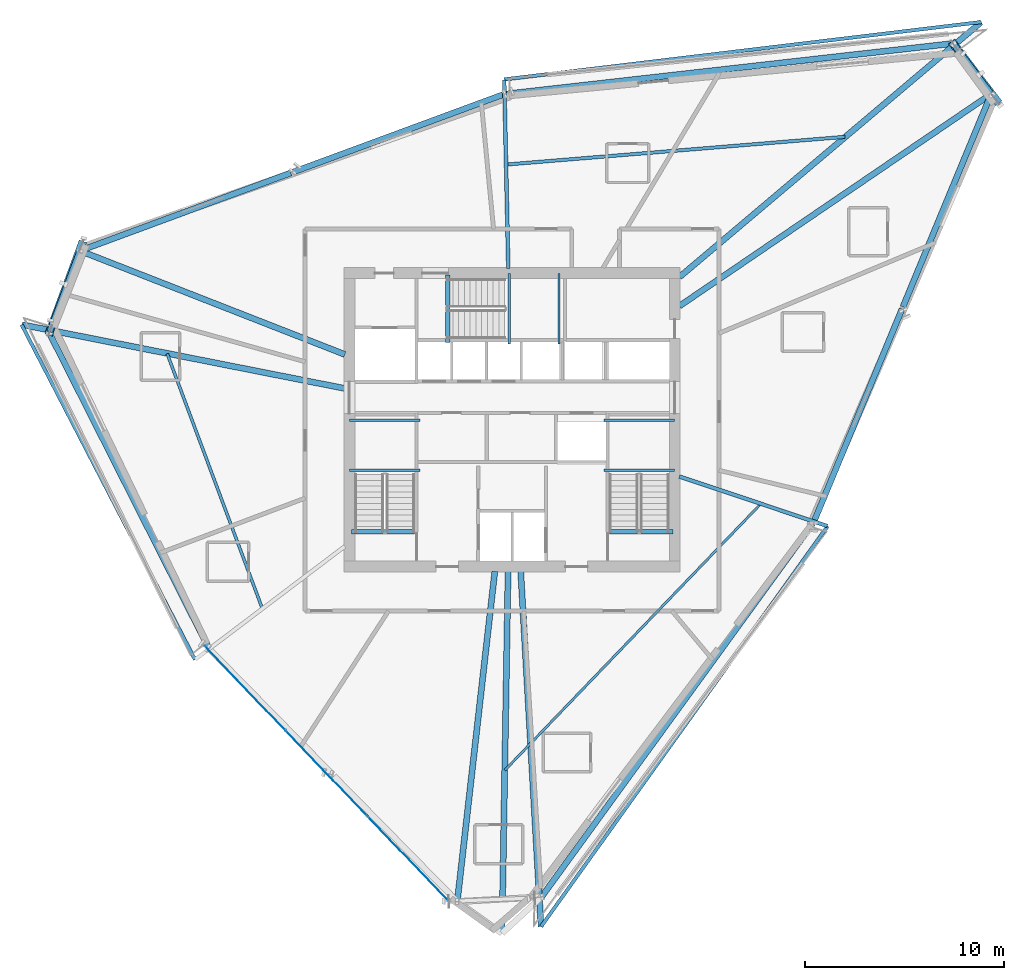
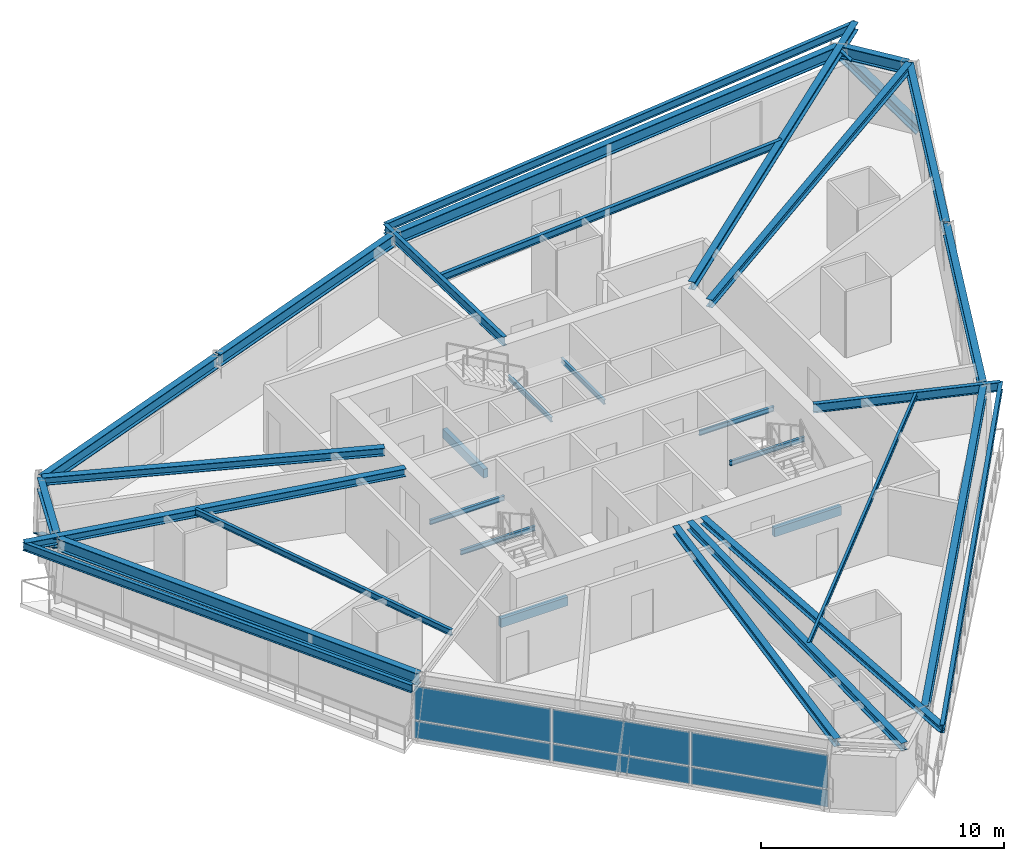
# One storey, part 4 of 14: 33 beams, 6 plates, 2 members, 1 element without a shape of its own.
"""IFC4 building model written with IfcOpenShell, lengths in metres."""

from ifc_helpers import new_model, si_unit, direction, frame, origin, origin_2d, place, context, subcontext, project, spatial, rectangle, i_section, extrude, source, transform, mapped, material, material_profile, profile_set, type_object, element, aggregate, save


model = new_model("IFC4")

# Units and contexts
model_context = context("Model", 3, precision=1e-05, world=origin(), true_north=direction((0.0, 1.0)))
body_context = subcontext(model_context, "Body", "Model", "MODEL_VIEW")
ifc_project = project(units=[si_unit("LENGTHUNIT", "METRE"), si_unit("AREAUNIT", "SQUARE_METRE"), si_unit("VOLUMEUNIT", "CUBIC_METRE"), si_unit("PLANEANGLEUNIT", "RADIAN"), si_unit("MASSUNIT", "GRAM", prefix="KILO")], contexts=[model_context])

# Site, building, storey
site_placement = place(None, origin())
site = spatial("IfcSite", under=ifc_project, at=site_placement, CompositionType="ELEMENT")
building_placement = place(site_placement, origin())
building = spatial("IfcBuilding", under=site, at=building_placement, Name="Olszyna Solenne Hotel", CompositionType="ELEMENT")
storey_placement = place(building_placement, frame((0.0, 0.0, 182.10009765625)))
storey = spatial("IfcBuildingStorey", under=building, at=storey_placement, Name="L48", CompositionType="ELEMENT", Elevation=182.10009765625)

# Beams
ifc_material_1 = material(Name="Steel S355J2", Category="steel")
ifc_material_profile_1 = material_profile(ifc_material_1, i_section(OverallWidth=0.300048828125, OverallDepth=0.60009765625, WebThickness=0.015380859375, FlangeThickness=0.030029296875, at=origin_2d()), Name="HEB 600", Category="load-bearing")
ifc_profile_set_1 = profile_set([ifc_material_profile_1], Name="Steel S355J2")
beam_type_1 = type_object("IfcBeamType", Name="BM-S2", PredefinedType="BEAM", material=ifc_profile_set_1)
shared_shape_1 = source(origin(), body_context, "Body", "SweptSolid", [
    extrude(i_section(OverallWidth=0.300048828125, OverallDepth=0.60009765625, WebThickness=0.015380859375, FlangeThickness=0.030029296875, at=origin_2d()), origin(), (0.0, 0.0, 1.0), 3.055908203125),
])
beam_1_placement = place(storey_placement, frame((62.04248046875, 43.02978515625, 3.02978515625), z_axis=(-0.602477012007, 0.79813623524, 0.0), x_axis=(-0.79813623524, -0.602477012007, 0.0)))
element("IfcBeam", 1, at=beam_1_placement, inside=storey, type_object=beam_type_1, Name="Perimeter spandrel beam BM-S2 B-L48-1422", PredefinedType="BEAM", context=body_context, shape_type="MappedRepresentation", body=[
    mapped(shared_shape_1, transform((0.0, 0.0, 0.0), x_axis=(1.0, 0.0, 0.0), y_axis=(0.0, 1.0, 0.0), z_axis=(0.0, 0.0, 1.0), scale=1.0)),
])
shared_shape_2 = source(origin(), body_context, "Body", "SweptSolid", [
    extrude(i_section(OverallWidth=0.300048828125, OverallDepth=0.60009765625, WebThickness=0.015380859375, FlangeThickness=0.030029296875, at=origin_2d()), origin(), (0.0, 0.0, 1.0), 22.5947265625),
])
beam_2_placement = place(storey_placement, frame((60.105712890625, 45.510009765625, 3.02978515625), z_axis=(-0.993680602672, -0.11224464296, 0.0), x_axis=(0.11224464296, -0.993680602672, 0.0)))
element("IfcBeam", 2, at=beam_2_placement, inside=storey, type_object=beam_type_1, Name="Perimeter spandrel beam BM-S2 B-L48-1423", PredefinedType="BEAM", context=body_context, shape_type="MappedRepresentation", body=[
    mapped(shared_shape_2, transform((0.0, 0.0, 0.0), x_axis=(1.0, 0.0, 0.0), y_axis=(0.0, 1.0, 0.0), z_axis=(0.0, 0.0, 1.0), scale=1.0)),
])
shared_shape_3 = source(origin(), body_context, "Body", "SweptSolid", [
    extrude(i_section(OverallWidth=0.300048828125, OverallDepth=0.60009765625, WebThickness=0.015380859375, FlangeThickness=0.030029296875, at=origin_2d()), origin(), (0.0, 0.0, 1.0), 11.2373046875),
])
for number, where, z_axis, x_axis, name in (
    (3, (37.537841796875, 42.9462890625, 3.02978515625), (-0.938120365318, -0.346309370615, 0.0), (0.346309370615, -0.938120365318, 0.0), "Perimeter spandrel beam BM-S2 B-L48-1424"),
    (4, (26.88330078125, 39.012939453125, 3.02978515625), (-0.938120365318, -0.346309370615, 0.0), (0.346309370615, -0.938120365318, 0.0), "Perimeter spandrel beam BM-S2 B-L48-1425"),
):
    element("IfcBeam", number, at=place(storey_placement, frame(where, z_axis=z_axis, x_axis=x_axis)), inside=storey, type_object=beam_type_1, Name=name, PredefinedType="BEAM", context=body_context, shape_type="MappedRepresentation", body=[
        mapped(shared_shape_3, transform((0.0, 0.0, 0.0), x_axis=(1.0, 0.0, 0.0), y_axis=(0.0, 1.0, 0.0), z_axis=(0.0, 0.0, 1.0), scale=1.0)),
    ])
shared_shape_4 = source(origin(), body_context, "Body", "SweptSolid", [
    extrude(i_section(OverallWidth=0.300048828125, OverallDepth=0.60009765625, WebThickness=0.015380859375, FlangeThickness=0.030029296875, at=origin_2d()), origin(), (0.0, 0.0, 1.0), 4.281494140625),
])
beam_3_placement = place(storey_placement, frame((16.26416015625, 35.044189453125, 3.02978515625), z_axis=(-0.350167177084, -0.93668721999, 0.0), x_axis=(0.93668721999, -0.350167177084, 0.0)))
element("IfcBeam", 5, at=beam_3_placement, inside=storey, type_object=beam_type_1, Name="Perimeter spandrel beam BM-S2 B-L48-1426", PredefinedType="BEAM", context=body_context, shape_type="MappedRepresentation", body=[
    mapped(shared_shape_4, transform((0.0, 0.0, 0.0), x_axis=(1.0, 0.0, 0.0), y_axis=(0.0, 1.0, 0.0), z_axis=(0.0, 0.0, 1.0), scale=1.0)),
])
shared_shape_5 = source(origin(), body_context, "Body", "SweptSolid", [
    extrude(i_section(OverallWidth=0.300048828125, OverallDepth=0.60009765625, WebThickness=0.015380859375, FlangeThickness=0.030029296875, at=origin_2d()), origin(), (0.0, 0.0, 1.0), 17.6796875),
])
beam_4_placement = place(storey_placement, frame((14.77099609375, 30.924072265625, 3.02978515625), z_axis=(0.451186208431, -0.892429832156, 0.0), x_axis=(0.892429832156, 0.451186208431, 0.0)))
element("IfcBeam", 6, at=beam_4_placement, inside=storey, type_object=beam_type_1, Name="Perimeter spandrel beam BM-S2 B-L48-1427", PredefinedType="BEAM", context=body_context, shape_type="MappedRepresentation", body=[
    mapped(shared_shape_5, transform((0.0, 0.0, 0.0), x_axis=(1.0, 0.0, 0.0), y_axis=(0.0, 1.0, 0.0), z_axis=(0.0, 0.0, 1.0), scale=1.0)),
])
shared_shape_6 = source(origin(), body_context, "Body", "SweptSolid", [
    extrude(i_section(OverallWidth=0.300048828125, OverallDepth=0.60009765625, WebThickness=0.015380859375, FlangeThickness=0.030029296875, at=origin_2d()), origin(), (0.0, 0.0, 1.0), 23.16552734375),
])
beam_5_placement = place(storey_placement, frame((39.515380859375, 2.6787109375, 3.02978515625), z_axis=(0.587643312655, 0.809120100536, 0.0), x_axis=(-0.809120100536, 0.587643312655, 0.0)))
element("IfcBeam", 7, at=beam_5_placement, inside=storey, type_object=beam_type_1, Name="Perimeter spandrel beam BM-S2 B-L48-1431", PredefinedType="BEAM", context=body_context, shape_type="MappedRepresentation", body=[
    mapped(shared_shape_6, transform((0.0, 0.0, 0.0), x_axis=(1.0, 0.0, 0.0), y_axis=(0.0, 1.0, 0.0), z_axis=(0.0, 0.0, 1.0), scale=1.0)),
])
shared_shape_7 = source(origin(), body_context, "Body", "SweptSolid", [
    extrude(i_section(OverallWidth=0.300048828125, OverallDepth=0.60009765625, WebThickness=0.015380859375, FlangeThickness=0.030029296875, at=origin_2d()), origin(), (0.0, 0.0, 1.0), 11.522705078125),
])
for number, where, z_axis, x_axis, name in (
    (8, (53.1865234375, 21.526123046875, 3.02978515625), (0.382862003427, 0.923805545735, 0.0), (-0.923805545735, 0.382862003427, 0.0), "Perimeter spandrel beam BM-S2 B-L48-1432"),
    (9, (57.644287109375, 32.28173828125, 3.02978515625), (0.382862003427, 0.923805545735, 0.0), (-0.923805545735, 0.382862003427, 0.0), "Perimeter spandrel beam BM-S2 B-L48-1433"),
):
    element("IfcBeam", number, at=place(storey_placement, frame(where, z_axis=z_axis, x_axis=x_axis)), inside=storey, type_object=beam_type_1, Name=name, PredefinedType="BEAM", context=body_context, shape_type="MappedRepresentation", body=[
        mapped(shared_shape_7, transform((0.0, 0.0, 0.0), x_axis=(1.0, 0.0, 0.0), y_axis=(0.0, 1.0, 0.0), z_axis=(0.0, 0.0, 1.0), scale=1.0)),
    ])
ifc_material_profile_2 = material_profile(ifc_material_1, i_section(OverallWidth=0.300048828125, OverallDepth=0.389892578125, WebThickness=0.010986328125, FlangeThickness=0.01904296875, at=origin_2d()), Name="HEA 400", Category="load-bearing")
ifc_profile_set_2 = profile_set([ifc_material_profile_2], Name="Steel S355J2")
beam_type_2 = type_object("IfcBeamType", Name="BM-G2", PredefinedType="BEAM", material=ifc_profile_set_2)
shared_shape_8 = source(origin(), body_context, "Body", "SweptSolid", [
    extrude(i_section(OverallWidth=0.300048828125, OverallDepth=0.389892578125, WebThickness=0.010986328125, FlangeThickness=0.01904296875, at=origin_2d()), origin(), (0.0, 0.0, 1.0), 18.892822265625),
])
beam_6_placement = place(storey_placement, frame((62.029296875, 42.947998046875, 3.135009765625), z_axis=(-0.826798854728, -0.56249769228, 0.0), x_axis=(0.56249769228, -0.826798854728, 0.0)))
element("IfcBeam", 10, at=beam_6_placement, inside=storey, type_object=beam_type_2, Name="Radial floor girder BM-G2 B-L48-1434", PredefinedType="BEAM", context=body_context, shape_type="MappedRepresentation", body=[
    mapped(shared_shape_8, transform((0.0, 0.0, 0.0), x_axis=(1.0, 0.0, 0.0), y_axis=(0.0, 1.0, 0.0), z_axis=(0.0, 0.0, 1.0), scale=1.0)),
])
shared_shape_9 = source(origin(), body_context, "Body", "SweptSolid", [
    extrude(i_section(OverallWidth=0.300048828125, OverallDepth=0.389892578125, WebThickness=0.010986328125, FlangeThickness=0.01904296875, at=origin_2d()), origin(), (0.0, 0.0, 1.0), 19.83935546875),
])
beam_7_placement = place(storey_placement, frame((61.566162109375, 46.58349609375, 3.135009765625), z_axis=(-0.763838869699, -0.645406988757, 0.0), x_axis=(0.645406988757, -0.763838869699, 0.0)))
element("IfcBeam", 11, at=beam_7_placement, inside=storey, type_object=beam_type_2, Name="Radial floor girder BM-G2 B-L48-1435", PredefinedType="BEAM", context=body_context, shape_type="MappedRepresentation", body=[
    mapped(shared_shape_9, transform((0.0, 0.0, 0.0), x_axis=(1.0, 0.0, 0.0), y_axis=(0.0, 1.0, 0.0), z_axis=(0.0, 0.0, 1.0), scale=1.0)),
])
ifc_material_profile_3 = material_profile(ifc_material_1, i_section(OverallWidth=0.18994140625, OverallDepth=0.449951171875, WebThickness=0.009521484375, FlangeThickness=0.0146484375, at=origin_2d()), Name="IPE 450", Category="load-bearing")
ifc_profile_set_3 = profile_set([ifc_material_profile_3], Name="Steel S355J2")
beam_type_3 = type_object("IfcBeamType", Name="BM-F4", PredefinedType="BEAM", material=ifc_profile_set_3)
shared_shape_10 = source(origin(), body_context, "Body", "SweptSolid", [
    extrude(i_section(OverallWidth=0.18994140625, OverallDepth=0.449951171875, WebThickness=0.009521484375, FlangeThickness=0.0146484375, at=origin_2d()), origin(), (0.0, 0.0, 1.0), 9.495849609375),
])
beam_8_placement = place(storey_placement, frame((37.606689453125, 43.693603515625, 3.10498046875), z_axis=(0.021570868255, -0.999767321752, 0.0), x_axis=(0.999767321752, 0.021570868255, 0.0)))
element("IfcBeam", 12, at=beam_8_placement, inside=storey, type_object=beam_type_3, Name="Radial floor girder BM-F4 B-L48-1436", PredefinedType="BEAM", context=body_context, shape_type="MappedRepresentation", body=[
    mapped(shared_shape_10, transform((0.0, 0.0, 0.0), x_axis=(1.0, 0.0, 0.0), y_axis=(0.0, 1.0, 0.0), z_axis=(0.0, 0.0, 1.0), scale=1.0)),
])
shared_shape_11 = source(origin(), body_context, "Body", "SweptSolid", [
    extrude(i_section(OverallWidth=0.300048828125, OverallDepth=0.389892578125, WebThickness=0.010986328125, FlangeThickness=0.01904296875, at=origin_2d()), origin(), (0.0, 0.0, 1.0), 14.235107421875),
])
beam_9_placement = place(storey_placement, frame((16.341064453125, 35.07861328125, 3.135009765625), z_axis=(0.931195452884, -0.364520271767, 0.0), x_axis=(0.364520271767, 0.931195452884, 0.0)))
element("IfcBeam", 13, at=beam_9_placement, inside=storey, type_object=beam_type_2, Name="Radial floor girder BM-G2 B-L48-1437", PredefinedType="BEAM", context=body_context, shape_type="MappedRepresentation", body=[
    mapped(shared_shape_11, transform((0.0, 0.0, 0.0), x_axis=(1.0, 0.0, 0.0), y_axis=(0.0, 1.0, 0.0), z_axis=(0.0, 0.0, 1.0), scale=1.0)),
])
shared_shape_12 = source(origin(), body_context, "Body", "SweptSolid", [
    extrude(i_section(OverallWidth=0.300048828125, OverallDepth=0.389892578125, WebThickness=0.010986328125, FlangeThickness=0.01904296875, at=origin_2d()), origin(), (0.0, 0.0, 1.0), 16.541015625),
])
beam_10_placement = place(storey_placement, frame((13.37158203125, 31.38671875, 3.135009765625), z_axis=(0.981045093218, -0.193779578577, 0.0), x_axis=(0.193779578577, 0.981045093218, 0.0)))
element("IfcBeam", 14, at=beam_10_placement, inside=storey, type_object=beam_type_2, Name="Radial floor girder BM-G2 B-L48-1438", PredefinedType="BEAM", context=body_context, shape_type="MappedRepresentation", body=[
    mapped(shared_shape_12, transform((0.0, 0.0, 0.0), x_axis=(1.0, 0.0, 0.0), y_axis=(0.0, 1.0, 0.0), z_axis=(0.0, 0.0, 1.0), scale=1.0)),
])
shared_shape_13 = source(origin(), body_context, "Body", "SweptSolid", [
    extrude(i_section(OverallWidth=0.300048828125, OverallDepth=0.389892578125, WebThickness=0.010986328125, FlangeThickness=0.01904296875, at=origin_2d()), origin(), (0.0, 0.0, 1.0), 16.653564453125),
])
beam_11_placement = place(storey_placement, frame((35.253662109375, 2.452880859375, 3.135009765625), z_axis=(0.112999157597, 0.993595083715, 0.0), x_axis=(-0.993595083715, 0.112999157597, 0.0)))
element("IfcBeam", 15, at=beam_11_placement, inside=storey, type_object=beam_type_2, Name="Radial floor girder BM-G2 B-L48-1440", PredefinedType="BEAM", context=body_context, shape_type="MappedRepresentation", body=[
    mapped(shared_shape_13, transform((0.0, 0.0, 0.0), x_axis=(1.0, 0.0, 0.0), y_axis=(0.0, 1.0, 0.0), z_axis=(0.0, 0.0, 1.0), scale=1.0)),
])
shared_shape_14 = source(origin(), body_context, "Body", "SweptSolid", [
    extrude(i_section(OverallWidth=0.300048828125, OverallDepth=0.389892578125, WebThickness=0.010986328125, FlangeThickness=0.01904296875, at=origin_2d()), origin(), (0.0, 0.0, 1.0), 18.182373046875),
])
beam_12_placement = place(storey_placement, frame((37.4951171875, 0.820068359375, 3.135009765625), z_axis=(0.016730351268, 0.999860037879, 0.0), x_axis=(-0.999860037879, 0.016730351268, 0.0)))
element("IfcBeam", 16, at=beam_12_placement, inside=storey, type_object=beam_type_2, Name="Radial floor girder BM-G2 B-L48-1441", PredefinedType="BEAM", context=body_context, shape_type="MappedRepresentation", body=[
    mapped(shared_shape_14, transform((0.0, 0.0, 0.0), x_axis=(1.0, 0.0, 0.0), y_axis=(0.0, 1.0, 0.0), z_axis=(0.0, 0.0, 1.0), scale=1.0)),
])
shared_shape_15 = source(origin(), body_context, "Body", "SweptSolid", [
    extrude(i_section(OverallWidth=0.18994140625, OverallDepth=0.449951171875, WebThickness=0.009521484375, FlangeThickness=0.0146484375, at=origin_2d()), origin(), (0.0, 0.0, 1.0), 7.8427734375),
])
beam_13_placement = place(storey_placement, frame((53.840576171875, 21.2705078125, 3.10498046875), z_axis=(-0.948377791867, 0.317142813088, 0.0), x_axis=(-0.317142813088, -0.948377791867, 0.0)))
element("IfcBeam", 17, at=beam_13_placement, inside=storey, type_object=beam_type_3, Name="Radial floor girder BM-F4 B-L48-1442", PredefinedType="BEAM", context=body_context, shape_type="MappedRepresentation", body=[
    mapped(shared_shape_15, transform((0.0, 0.0, 0.0), x_axis=(1.0, 0.0, 0.0), y_axis=(0.0, 1.0, 0.0), z_axis=(0.0, 0.0, 1.0), scale=1.0)),
])
ifc_material_profile_4 = material_profile(ifc_material_1, i_section(OverallWidth=0.300048828125, OverallDepth=0.31005859375, WebThickness=0.009033203125, FlangeThickness=0.015380859375, at=origin_2d()), Name="HEA 320", Category="load-bearing")
ifc_profile_set_4 = profile_set([ifc_material_profile_4], Name="Steel S355J2")
beam_type_4 = type_object("IfcBeamType", Name="BM-G3", PredefinedType="BEAM", material=ifc_profile_set_4)
shared_shape_16 = source(origin(), body_context, "Body", "SweptSolid", [
    extrude(i_section(OverallWidth=0.300048828125, OverallDepth=0.31005859375, WebThickness=0.009033203125, FlangeThickness=0.015380859375, at=origin_2d()), origin(), (0.0, 0.0, 1.0), 17.891845703125),
])
beam_14_placement = place(storey_placement, frame((39.455810546875, 1.13720703125, 3.1748046875), z_axis=(-0.057078158018, 0.998369713021, 0.0), x_axis=(-0.998369713021, -0.057078158018, 0.0)))
element("IfcBeam", 18, at=beam_14_placement, inside=storey, type_object=beam_type_4, Name="Loggia/prism radial back-span girder BM-G3 B-L48-1445", PredefinedType="BEAM", context=body_context, shape_type="MappedRepresentation", body=[
    mapped(shared_shape_16, transform((0.0, 0.0, 0.0), x_axis=(1.0, 0.0, 0.0), y_axis=(0.0, 1.0, 0.0), z_axis=(0.0, 0.0, 1.0), scale=1.0)),
])
ifc_material_profile_5 = material_profile(ifc_material_1, i_section(OverallWidth=0.169921875, OverallDepth=0.360107421875, WebThickness=0.008056640625, FlangeThickness=0.0126953125, at=origin_2d()), Name="IPE 360", Category="load-bearing")
ifc_profile_set_5 = profile_set([ifc_material_profile_5], Name="Steel S355J2")
beam_type_5 = type_object("IfcBeamType", Name="JS-01", PredefinedType="JOIST", material=ifc_profile_set_5)
shared_shape_17 = source(origin(), body_context, "Body", "SweptSolid", [
    extrude(i_section(OverallWidth=0.169921875, OverallDepth=0.360107421875, WebThickness=0.008056640625, FlangeThickness=0.0126953125, at=origin_2d()), origin(), (0.0, 0.0, 1.0), 17.07373046875),
])
beam_15_placement = place(storey_placement, frame((54.7353515625, 40.826904296875, 3.14990234375), z_axis=(-0.996667057397, -0.081576814715, 0.0), x_axis=(0.081576814715, -0.996667057397, 0.0)))
element("IfcBeam", 19, at=beam_15_placement, inside=storey, type_object=beam_type_5, Name="Secondary composite floor joist JS-01 B-L48-1446", PredefinedType="JOIST", context=body_context, shape_type="MappedRepresentation", body=[
    mapped(shared_shape_17, transform((0.0, 0.0, 0.0), x_axis=(1.0, 0.0, 0.0), y_axis=(0.0, 1.0, 0.0), z_axis=(0.0, 0.0, 1.0), scale=1.0)),
])
ifc_material_profile_6 = material_profile(ifc_material_1, i_section(OverallWidth=0.14990234375, OverallDepth=0.300048828125, WebThickness=0.007080078125, FlangeThickness=0.0107421875, at=origin_2d()), Name="IPE 300", Category="load-bearing")
ifc_profile_set_6 = profile_set([ifc_material_profile_6], Name="Steel S355J2")
beam_type_6 = type_object("IfcBeamType", Name="JS-02", PredefinedType="JOIST", material=ifc_profile_set_6)
shared_shape_18 = source(origin(), body_context, "Body", "SweptSolid", [
    extrude(i_section(OverallWidth=0.14990234375, OverallDepth=0.300048828125, WebThickness=0.007080078125, FlangeThickness=0.0107421875, at=origin_2d()), origin(), (0.0, 0.0, 1.0), 13.657470703125),
])
beam_16_placement = place(storey_placement, frame((20.670166015625, 29.927734375, 3.179931640625), z_axis=(0.349638061793, -0.936884851914, 0.0), x_axis=(0.936884851914, 0.349638061793, 0.0)))
element("IfcBeam", 20, at=beam_16_placement, inside=storey, type_object=beam_type_6, Name="Secondary composite floor joist JS-02 B-L48-1447", PredefinedType="JOIST", context=body_context, shape_type="MappedRepresentation", body=[
    mapped(shared_shape_18, transform((0.0, 0.0, 0.0), x_axis=(1.0, 0.0, 0.0), y_axis=(0.0, 1.0, 0.0), z_axis=(0.0, 0.0, 1.0), scale=1.0)),
])
ifc_material_profile_7 = material_profile(ifc_material_1, i_section(OverallWidth=0.1201171875, OverallDepth=0.239990234375, WebThickness=0.006103515625, FlangeThickness=0.009765625, at=origin_2d()), Name="IPE 240", Category="load-bearing")
ifc_profile_set_7 = profile_set([ifc_material_profile_7], Name="Steel S355J2")
beam_type_7 = type_object("IfcBeamType", Name="JS-03", PredefinedType="JOIST", material=ifc_profile_set_7)
shared_shape_19 = source(origin(), body_context, "Body", "SweptSolid", [
    extrude(i_section(OverallWidth=0.1201171875, OverallDepth=0.239990234375, WebThickness=0.006103515625, FlangeThickness=0.009765625, at=origin_2d()), origin(), (0.0, 0.0, 1.0), 18.5380859375),
])
beam_17_placement = place(storey_placement, frame((37.645751953125, 9.00439453125, 3.2099609375), z_axis=(0.69285469457, 0.721077230408, 0.0), x_axis=(-0.721077230408, 0.69285469457, 0.0)))
element("IfcBeam", 21, at=beam_17_placement, inside=storey, type_object=beam_type_7, Name="Secondary composite floor joist JS-03 B-L48-1448", PredefinedType="JOIST", context=body_context, shape_type="MappedRepresentation", body=[
    mapped(shared_shape_19, transform((0.0, 0.0, 0.0), x_axis=(1.0, 0.0, 0.0), y_axis=(0.0, 1.0, 0.0), z_axis=(0.0, 0.0, 1.0), scale=1.0)),
])
ifc_material_profile_8 = material_profile(ifc_material_1, i_section(OverallWidth=0.179931640625, OverallDepth=0.39990234375, WebThickness=0.008544921875, FlangeThickness=0.013427734375, at=origin_2d()), Name="IPE 400", Category="load-bearing")
ifc_profile_set_8 = profile_set([ifc_material_profile_8], Name="Steel S355J2")
beam_type_8 = type_object("IfcBeamType", Name="BM-F5", PredefinedType="BEAM", material=ifc_profile_set_8)
shared_shape_20 = source(origin(), body_context, "Body", "SweptSolid", [
    extrude(i_section(OverallWidth=0.179931640625, OverallDepth=0.39990234375, WebThickness=0.008544921875, FlangeThickness=0.013427734375, at=origin_2d()), origin(), (0.0, 0.0, 1.0), 24.14794921875),
])
beam_18_placement = place(storey_placement, frame((61.58154296875, 46.59619140625, 3.1298828125), z_axis=(-0.992849735432, -0.119370862664, 0.0), x_axis=(0.119370862664, -0.992849735432, 0.0)))
element("IfcBeam", 22, at=beam_18_placement, inside=storey, type_object=beam_type_8, Name="Loggia outer edge beam BM-F5 B-L48-1449", PredefinedType="BEAM", context=body_context, shape_type="MappedRepresentation", body=[
    mapped(shared_shape_20, transform((0.0, 0.0, 0.0), x_axis=(1.0, 0.0, 0.0), y_axis=(0.0, 1.0, 0.0), z_axis=(0.0, 0.0, 1.0), scale=1.0)),
])
shared_shape_21 = source(origin(), body_context, "Body", "SweptSolid", [
    extrude(i_section(OverallWidth=0.179931640625, OverallDepth=0.39990234375, WebThickness=0.008544921875, FlangeThickness=0.013427734375, at=origin_2d()), origin(), (0.0, 0.0, 1.0), 18.959228515625),
])
beam_19_placement = place(storey_placement, frame((13.35205078125, 31.390625, 3.1298828125), z_axis=(0.459660766254, -0.888094578278, 0.0), x_axis=(0.888094578278, 0.459660766254, 0.0)))
element("IfcBeam", 23, at=beam_19_placement, inside=storey, type_object=beam_type_8, Name="Loggia outer edge beam BM-F5 B-L48-1450", PredefinedType="BEAM", context=body_context, shape_type="MappedRepresentation", body=[
    mapped(shared_shape_21, transform((0.0, 0.0, 0.0), x_axis=(1.0, 0.0, 0.0), y_axis=(0.0, 1.0, 0.0), z_axis=(0.0, 0.0, 1.0), scale=1.0)),
])
shared_shape_22 = source(origin(), body_context, "Body", "SweptSolid", [
    extrude(i_section(OverallWidth=0.179931640625, OverallDepth=0.39990234375, WebThickness=0.008544921875, FlangeThickness=0.013427734375, at=origin_2d()), origin(), (0.0, 0.0, 1.0), 24.75),
])
beam_20_placement = place(storey_placement, frame((39.455810546875, 1.13720703125, 3.1298828125), z_axis=(0.581971378403, 0.813209268713, 0.0), x_axis=(-0.813209268713, 0.581971378403, 0.0)))
element("IfcBeam", 24, at=beam_20_placement, inside=storey, type_object=beam_type_8, Name="Loggia outer edge beam BM-F5 B-L48-1451", PredefinedType="BEAM", context=body_context, shape_type="MappedRepresentation", body=[
    mapped(shared_shape_22, transform((0.0, 0.0, 0.0), x_axis=(1.0, 0.0, 0.0), y_axis=(0.0, 1.0, 0.0), z_axis=(0.0, 0.0, 1.0), scale=1.0)),
])

# Members
ifc_material_2 = material(Name="Steel S460M", Category="steel")
ifc_material_profile_9 = material_profile(ifc_material_2, i_section(OverallWidth=0.406005859375, OverallDepth=0.416015625, WebThickness=0.026611328125, FlangeThickness=0.04150390625, at=origin_2d()), Name="HD 400x382", Category="load-bearing")
ifc_profile_set_9 = profile_set([ifc_material_profile_9], Name="Steel S460M")
member_type = type_object("IfcMemberType", Name="BR-T2", PredefinedType="BRACE", material=ifc_profile_set_9)
shared_shape_23 = source(origin(), body_context, "Body", "SweptSolid", [
    extrude(i_section(OverallWidth=0.406005859375, OverallDepth=0.416015625, WebThickness=0.026611328125, FlangeThickness=0.04150390625, at=origin_2d()), origin(), (0.0, 0.0, 1.0), 4.719970703125),
])
member_1_placement = place(storey_placement, frame((62.3798828125, 42.612548828125, 0.010009765625), z_axis=(-0.469198883376, 0.615270721834, 0.633477976486), x_axis=(-0.795169236644, -0.606387570037, 0.0)))
element("IfcMember", 25, at=member_1_placement, inside=storey, type_object=member_type, Name="Perimeter braced-tube diagonal BR-T2 BR-L48-1", PredefinedType="BRACE", context=body_context, shape_type="MappedRepresentation", body=[
    mapped(shared_shape_23, transform((0.0, 0.0, 0.0), x_axis=(1.0, 0.0, 0.0), y_axis=(0.0, 1.0, 0.0), z_axis=(0.0, 0.0, 1.0), scale=1.0)),
])
shared_shape_24 = source(origin(), body_context, "Body", "SweptSolid", [
    extrude(i_section(OverallWidth=0.406005859375, OverallDepth=0.416015625, WebThickness=0.026611328125, FlangeThickness=0.04150390625, at=origin_2d()), origin(), (0.0, 0.0, 1.0), 5.646484375),
])
member_2_placement = place(storey_placement, frame((16.3994140625, 35.47216796875, 0.010009765625), z_axis=(-0.293195852781, -0.796008796594, 0.529533934377), x_axis=(0.938370091121, -0.345632134052, 0.0)))
element("IfcMember", 26, at=member_2_placement, inside=storey, type_object=member_type, Name="Perimeter braced-tube diagonal BR-T2 BR-L48-2", PredefinedType="BRACE", context=body_context, shape_type="MappedRepresentation", body=[
    mapped(shared_shape_24, transform((0.0, 0.0, 0.0), x_axis=(1.0, 0.0, 0.0), y_axis=(0.0, 1.0, 0.0), z_axis=(0.0, 0.0, 1.0), scale=1.0)),
])

# Beams
shared_shape_25 = source(origin(), body_context, "Body", "SweptSolid", [
    extrude(i_section(OverallWidth=0.1201171875, OverallDepth=0.239990234375, WebThickness=0.006103515625, FlangeThickness=0.009765625, at=origin_2d()), origin(), (0.0, 0.0, 1.0), 3.539794921875),
])
for number, where, z_axis, x_axis, name in (
    (27, (33.3798828125, 24.070068359375, 1.449951171875), (-1.0, 0.0, 0.0), (0.0, -1.0, 0.0), "Stair landing support beam JS-03 SLB-ST1-0101"),
    (28, (33.3798828125, 26.580078125, 1.449951171875), (-1.0, 0.0, 0.0), (0.0, -1.0, 0.0), "Stair landing support beam JS-03 SLB-ST1-0102"),
    (29, (46.159912109375, 24.070068359375, 1.449951171875), (-1.0, 0.0, 0.0), (0.0, -1.0, 0.0), "Stair landing support beam JS-03 SLB-ST2-0341"),
    (30, (46.159912109375, 26.580078125, 1.449951171875), (-1.0, 0.0, 0.0), (0.0, -1.0, 0.0), "Stair landing support beam JS-03 SLB-ST2-0342"),
):
    element("IfcBeam", number, at=place(storey_placement, frame(where, z_axis=z_axis, x_axis=x_axis)), inside=storey, type_object=beam_type_7, Name=name, PredefinedType="JOIST", context=body_context, shape_type="MappedRepresentation", body=[
        mapped(shared_shape_25, transform((0.0, 0.0, 0.0), x_axis=(1.0, 0.0, 0.0), y_axis=(0.0, 1.0, 0.0), z_axis=(0.0, 0.0, 1.0), scale=1.0)),
    ])
ifc_material_3 = material(Name="Concrete C50/60", Category="concrete")
ifc_material_profile_10 = material_profile(ifc_material_3, rectangle(XDim=0.219970703125, YDim=0.43994140625, at=origin_2d()), Name="RC 220x440", Category="load-bearing")
ifc_profile_set_10 = profile_set([ifc_material_profile_10], Name="Concrete C50/60")
beam_type_9 = type_object("IfcBeamType", Name="BM-ST1", PredefinedType="BEAM", material=ifc_profile_set_10)
shared_shape_26 = source(origin(), body_context, "Body", "SweptSolid", [
    extrude(rectangle(XDim=0.219970703125, YDim=0.43994140625, at=origin_2d()), origin(), (0.0, 0.0, 1.0), 3.18017578125),
])
for number, where, z_axis, x_axis, name in (
    (31, (33.10009765625, 20.97998046875, -0.205078125), (-1.0, 0.0, 0.0), (0.0, -1.0, 0.0), "Concrete stair trimmer beam BM-ST1 SHB-ST1-0210"),
    (32, (46.080078125, 20.97998046875, -0.205078125), (-1.0, 0.0, 0.0), (0.0, -1.0, 0.0), "Concrete stair trimmer beam BM-ST1 SHB-ST2-0450"),
):
    element("IfcBeam", number, at=place(storey_placement, frame(where, z_axis=z_axis, x_axis=x_axis)), inside=storey, type_object=beam_type_9, Name=name, PredefinedType="BEAM", context=body_context, shape_type="MappedRepresentation", body=[
        mapped(shared_shape_26, transform((0.0, 0.0, 0.0), x_axis=(1.0, 0.0, 0.0), y_axis=(0.0, 1.0, 0.0), z_axis=(0.0, 0.0, 1.0), scale=1.0)),
    ])
shared_shape_27 = source(origin(), body_context, "Body", "SweptSolid", [
    extrude(i_section(OverallWidth=0.1201171875, OverallDepth=0.239990234375, WebThickness=0.006103515625, FlangeThickness=0.009765625, at=origin_2d()), origin(), (0.0, 0.0, 1.0), 3.5400390625),
])
for number, where, z_axis, x_axis, name in (
    (33, (37.85009765625, 30.419921875, 1.449951171875), (0.0, 1.0, 0.0), (-1.0, 0.0, 0.0), "Stair landing support beam JS-03 SLB-ST3-0581"),
    (34, (40.360107421875, 30.419921875, 1.449951171875), (0.0, 1.0, 0.0), (-1.0, 0.0, 0.0), "Stair landing support beam JS-03 SLB-ST3-0582"),
):
    element("IfcBeam", number, at=place(storey_placement, frame(where, z_axis=z_axis, x_axis=x_axis)), inside=storey, type_object=beam_type_7, Name=name, PredefinedType="JOIST", context=body_context, shape_type="MappedRepresentation", body=[
        mapped(shared_shape_27, transform((0.0, 0.0, 0.0), x_axis=(1.0, 0.0, 0.0), y_axis=(0.0, 1.0, 0.0), z_axis=(0.0, 0.0, 1.0), scale=1.0)),
    ])
shared_shape_28 = source(origin(), body_context, "Body", "SweptSolid", [
    extrude(rectangle(XDim=0.219970703125, YDim=0.43994140625, at=origin_2d()), origin(), (0.0, 0.0, 1.0), 3.3798828125),
])
beam_21_placement = place(storey_placement, frame((34.760009765625, 30.5, -0.205078125), z_axis=(0.0, 1.0, 0.0), x_axis=(-1.0, 0.0, 0.0)))
element("IfcBeam", 35, at=beam_21_placement, inside=storey, type_object=beam_type_9, Name="Concrete stair trimmer beam BM-ST1 SHB-ST3-0688", PredefinedType="BEAM", context=body_context, shape_type="MappedRepresentation", body=[
    mapped(shared_shape_28, transform((0.0, 0.0, 0.0), x_axis=(1.0, 0.0, 0.0), y_axis=(0.0, 1.0, 0.0), z_axis=(0.0, 0.0, 1.0), scale=1.0)),
])

# Curtain wall, plates
ifc_material_4 = material(Name="Anodised bronze aluminium", Category="aluminium")
curtain_wall_type = type_object("IfcCurtainWallType", Name="CW-SYS-4", PredefinedType="NOTDEFINED", material=ifc_material_4)
curtain_wall_placement = place(storey_placement, origin())
curtain_wall = element("IfcCurtainWall", 36, at=curtain_wall_placement, inside=storey, type_object=curtain_wall_type, Name="Unitised curtain wall CW-SYS-4 CW-L48-01", PredefinedType="NOTDEFINED")
ifc_material_5 = material(Name="Terracotta cladding", Category="masonry")
plate_type_1 = type_object("IfcPlateType", Name="PN-SP1", PredefinedType="CURTAIN_PANEL", material=ifc_material_5)
shared_shape_29 = source(origin(), body_context, "Body", "SweptSolid", [
    extrude(rectangle(XDim=5.841552734375, YDim=0.035888671875, at=origin_2d()), origin(), (0.0, 0.0, 1.0), 0.8525390625),
])
plate_1_placement = place(storey_placement, frame((24.583740234375, 13.121337890625, 0.06494140625), z_axis=(0.0, 0.0, 1.0), x_axis=(0.691351976998, -0.72251812704, 0.0)))
plate_1 = element("IfcPlate", 37, at=plate_1_placement, type_object=plate_type_1, Name="Curtain-wall panel PN-SP1 CP-L48-01-01", PredefinedType="CURTAIN_PANEL", context=body_context, shape_type="MappedRepresentation", body=[
    mapped(shared_shape_29, transform((0.0, 0.0, 0.0), x_axis=(1.0, 0.0, 0.0), y_axis=(0.0, 1.0, 0.0), z_axis=(0.0, 0.0, 1.0), scale=1.0)),
])
plate_2_placement = place(storey_placement, frame((32.773193359375, 4.5625, 0.06494140625), z_axis=(0.0, 0.0, 1.0), x_axis=(0.691351976998, -0.72251812704, 0.0)))
plate_2 = element("IfcPlate", 38, at=plate_2_placement, type_object=plate_type_1, Name="Curtain-wall panel PN-SP1 CP-L48-01-05", PredefinedType="CURTAIN_PANEL", context=body_context, shape_type="MappedRepresentation", body=[
    mapped(shared_shape_29, transform((0.0, 0.0, 0.0), x_axis=(1.0, 0.0, 0.0), y_axis=(0.0, 1.0, 0.0), z_axis=(0.0, 0.0, 1.0), scale=1.0)),
])
ifc_material_6 = material(Name="Low-E triple glazing", Category="glass")
plate_type_2 = type_object("IfcPlateType", Name="PN-GL1", PredefinedType="CURTAIN_PANEL", material=ifc_material_6)
shared_shape_30 = source(origin(), body_context, "Body", "SweptSolid", [
    extrude(rectangle(XDim=5.841552734375, YDim=0.035888671875, at=origin_2d()), origin(), (0.0, 0.0, 1.0), 1.674560546875),
])
plate_3_placement = place(storey_placement, frame((24.583740234375, 13.121337890625, 0.982421875), z_axis=(0.0, 0.0, 1.0), x_axis=(0.691351976998, -0.72251812704, 0.0)))
plate_3 = element("IfcPlate", 39, at=plate_3_placement, type_object=plate_type_2, Name="Curtain-wall panel PN-GL1 CP-L48-01-02", PredefinedType="CURTAIN_PANEL", context=body_context, shape_type="MappedRepresentation", body=[
    mapped(shared_shape_30, transform((0.0, 0.0, 0.0), x_axis=(1.0, 0.0, 0.0), y_axis=(0.0, 1.0, 0.0), z_axis=(0.0, 0.0, 1.0), scale=1.0)),
])
plate_4_placement = place(storey_placement, frame((32.773193359375, 4.5625, 0.982421875), z_axis=(0.0, 0.0, 1.0), x_axis=(0.691351976998, -0.72251812704, 0.0)))
plate_4 = element("IfcPlate", 40, at=plate_4_placement, type_object=plate_type_2, Name="Curtain-wall panel PN-GL1 CP-L48-01-06", PredefinedType="CURTAIN_PANEL", context=body_context, shape_type="MappedRepresentation", body=[
    mapped(shared_shape_30, transform((0.0, 0.0, 0.0), x_axis=(1.0, 0.0, 0.0), y_axis=(0.0, 1.0, 0.0), z_axis=(0.0, 0.0, 1.0), scale=1.0)),
])
shared_shape_31 = source(origin(), body_context, "Body", "SweptSolid", [
    extrude(rectangle(XDim=5.8740234375, YDim=0.035888671875, at=origin_2d()), origin(), (0.0, 0.0, 1.0), 0.8525390625),
])
plate_5_placement = place(storey_placement, frame((28.678466796875, 8.841796875, 0.06494140625), z_axis=(0.0, 0.0, 1.0), x_axis=(0.691351976998, -0.72251812704, 0.0)))
plate_5 = element("IfcPlate", 41, at=plate_5_placement, type_object=plate_type_1, Name="Curtain-wall panel PN-SP1 CP-L48-01-03", PredefinedType="CURTAIN_PANEL", context=body_context, shape_type="MappedRepresentation", body=[
    mapped(shared_shape_31, transform((0.0, 0.0, 0.0), x_axis=(1.0, 0.0, 0.0), y_axis=(0.0, 1.0, 0.0), z_axis=(0.0, 0.0, 1.0), scale=1.0)),
])
shared_shape_32 = source(origin(), body_context, "Body", "SweptSolid", [
    extrude(rectangle(XDim=5.8740234375, YDim=0.035888671875, at=origin_2d()), origin(), (0.0, 0.0, 1.0), 1.674560546875),
])
plate_6_placement = place(storey_placement, frame((28.678466796875, 8.841796875, 0.982421875), z_axis=(0.0, 0.0, 1.0), x_axis=(0.691351976998, -0.72251812704, 0.0)))
plate_6 = element("IfcPlate", 42, at=plate_6_placement, type_object=plate_type_2, Name="Curtain-wall panel PN-GL1 CP-L48-01-04", PredefinedType="CURTAIN_PANEL", context=body_context, shape_type="MappedRepresentation", body=[
    mapped(shared_shape_32, transform((0.0, 0.0, 0.0), x_axis=(1.0, 0.0, 0.0), y_axis=(0.0, 1.0, 0.0), z_axis=(0.0, 0.0, 1.0), scale=1.0)),
])
aggregate(curtain_wall, [plate_1, plate_3, plate_5, plate_6, plate_2, plate_4])

save(model, "model.ifc")
